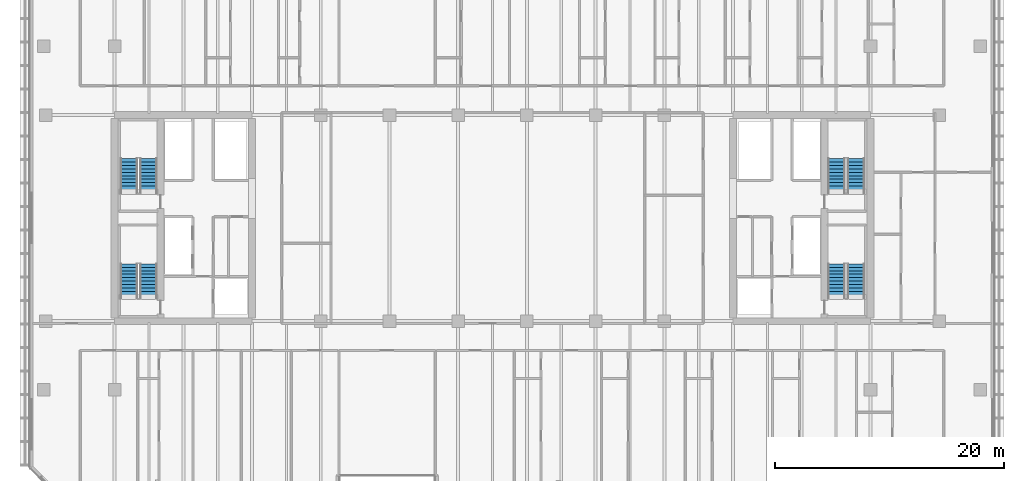
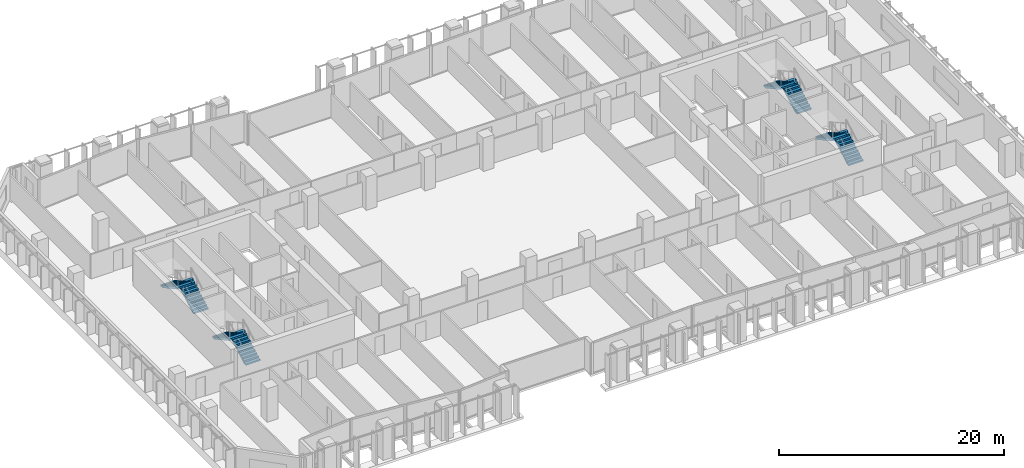
# One storey, part 26 of 32: 8 stair flights, 4 elements without a shape of their own.
"""IFC4 building model written with IfcOpenShell, lengths in metres."""

from ifc_helpers import new_model, si_unit, direction, frame, origin, place, context, subcontext, project, spatial, polyline, outline, extrude, material, type_object, element, aggregate, save


model = new_model("IFC4")

# Units and contexts
model_context = context("Model", 3, precision=1e-05, world=origin(), true_north=direction((0.0, 1.0)))
body_context = subcontext(model_context, "Body", "Model", "MODEL_VIEW")
ifc_project = project(units=[si_unit("LENGTHUNIT", "METRE"), si_unit("AREAUNIT", "SQUARE_METRE"), si_unit("VOLUMEUNIT", "CUBIC_METRE"), si_unit("PLANEANGLEUNIT", "RADIAN"), si_unit("MASSUNIT", "GRAM", prefix="KILO")], contexts=[model_context])

# Site, building, storey
site_placement = place(None, origin())
site = spatial("IfcSite", under=ifc_project, at=site_placement, CompositionType="ELEMENT")
building_placement = place(site_placement, origin())
building = spatial("IfcBuilding", under=site, at=building_placement, Name="Tanjung Sevakor Pilgrim Tower", CompositionType="ELEMENT")
storey_placement = place(building_placement, frame((0.0, 0.0, 62.3701171875)))
storey = spatial("IfcBuildingStorey", under=building, at=storey_placement, Name="L17", CompositionType="ELEMENT", Elevation=62.3701171875)

# Stair, stair flights
ifc_material_1 = material(Name="Concrete C40/50", Category="concrete")
stair_type = type_object("IfcStairType", Name="STAIR-ST-CR150", PredefinedType="HALF_TURN_STAIR", material=ifc_material_1)
stair_1_placement = place(storey_placement, origin())
stair_1 = element("IfcStair", 1, at=stair_1_placement, inside=storey, type_object=stair_type, Name="L17 West Core Exit Stair 1", PredefinedType="HALF_TURN_STAIR")
ifc_material_2 = material(Name="Concrete C40/50", Category="concrete")
stair_flight_type = type_object("IfcStairFlightType", Name="FLIGHT-ST-CR150", PredefinedType="STRAIGHT", material=ifc_material_2)
stair_flight_1_placement = place(storey_placement, frame((26.949951171875, 26.60009765625, 0.0), z_axis=(0.0, 0.0, 1.0), x_axis=(0.0, 1.0, 0.0)))
stair_flight_1 = element("IfcStairFlight", 2, at=stair_flight_1_placement, type_object=stair_flight_type, Name="TS-W1 flight 1", NumberOfRisers=11, NumberOfTreads=10, PredefinedType="STRAIGHT", RiserHeight=0.165, TreadLength=0.3, context=body_context, shape_type="SweptSolid", body=[
    extrude(outline(polyline([(0.0, 0.0), (0.0, 0.1650390625), (0.300048828125, 0.1650390625), (0.300048828125, 0.330078125), (0.60009765625, 0.330078125), (0.60009765625, 0.4951171875), (0.89990234375, 0.4951171875), (0.89990234375, 0.659912109375), (1.199951171875, 0.659912109375), (1.199951171875, 0.824951171875), (1.5, 0.824951171875), (1.5, 0.989990234375), (1.800048828125, 0.989990234375), (1.800048828125, 1.155029296875), (2.10009765625, 1.155029296875), (2.10009765625, 1.320068359375), (2.39990234375, 1.320068359375), (2.39990234375, 1.485107421875), (2.699951171875, 1.485107421875), (2.699951171875, 1.64990234375), (3.0, 1.64990234375), (3.0, 1.81494140625), (3.0, 1.467529296875), (0.331787109375, 0.0), (0.0, 0.0)])), frame((0.0, 0.75, 0.0), z_axis=(0.0, -1.0, 0.0), x_axis=(1.0, 0.0, 0.0)), (0.0, 0.0, 1.0), 1.5),
])
stair_flight_2_placement = place(storey_placement, frame((25.25, 29.60009765625, 1.81494140625), z_axis=(0.0, 0.0, 1.0), x_axis=(0.0, -1.0, 0.0)))
stair_flight_2 = element("IfcStairFlight", 3, at=stair_flight_2_placement, type_object=stair_flight_type, Name="TS-W1 flight 2", NumberOfRisers=11, NumberOfTreads=10, PredefinedType="STRAIGHT", RiserHeight=0.165, TreadLength=0.3, context=body_context, shape_type="SweptSolid", body=[
    extrude(outline(polyline([(0.0, 0.0), (0.0, 0.1650390625), (0.300048828125, 0.1650390625), (0.300048828125, 0.330078125), (0.60009765625, 0.330078125), (0.60009765625, 0.4951171875), (0.89990234375, 0.4951171875), (0.89990234375, 0.659912109375), (1.199951171875, 0.659912109375), (1.199951171875, 0.824951171875), (1.5, 0.824951171875), (1.5, 0.989990234375), (1.800048828125, 0.989990234375), (1.800048828125, 1.155029296875), (2.10009765625, 1.155029296875), (2.10009765625, 1.320068359375), (2.39990234375, 1.320068359375), (2.39990234375, 1.485107421875), (2.699951171875, 1.485107421875), (2.699951171875, 1.64990234375), (3.0, 1.64990234375), (3.0, 1.81494140625), (3.0, 1.467529296875), (0.331787109375, 0.0), (0.0, 0.0)])), frame((0.0, 0.75, 0.0), z_axis=(0.0, -1.0, 0.0), x_axis=(1.0, 0.0, 0.0)), (0.0, 0.0, 1.0), 1.5),
])
aggregate(stair_1, [stair_flight_1, stair_flight_2])

stair_2_placement = place(storey_placement, origin())
stair_2 = element("IfcStair", 4, at=stair_2_placement, inside=storey, type_object=stair_type, Name="L17 West Core Exit Stair 2", PredefinedType="HALF_TURN_STAIR")
stair_flight_3_placement = place(storey_placement, frame((26.949951171875, 35.800048828125, 0.0), z_axis=(0.0, 0.0, 1.0), x_axis=(0.0, 1.0, 0.0)))
stair_flight_3 = element("IfcStairFlight", 5, at=stair_flight_3_placement, type_object=stair_flight_type, Name="TS-W2 flight 1", NumberOfRisers=11, NumberOfTreads=10, PredefinedType="STRAIGHT", RiserHeight=0.165, TreadLength=0.3, context=body_context, shape_type="SweptSolid", body=[
    extrude(outline(polyline([(0.0, 0.0), (0.0, 0.1650390625), (0.300048828125, 0.1650390625), (0.300048828125, 0.330078125), (0.60009765625, 0.330078125), (0.60009765625, 0.4951171875), (0.89990234375, 0.4951171875), (0.89990234375, 0.659912109375), (1.199951171875, 0.659912109375), (1.199951171875, 0.824951171875), (1.5, 0.824951171875), (1.5, 0.989990234375), (1.800048828125, 0.989990234375), (1.800048828125, 1.155029296875), (2.10009765625, 1.155029296875), (2.10009765625, 1.320068359375), (2.39990234375, 1.320068359375), (2.39990234375, 1.485107421875), (2.699951171875, 1.485107421875), (2.699951171875, 1.64990234375), (3.0, 1.64990234375), (3.0, 1.81494140625), (3.0, 1.467529296875), (0.331787109375, 0.0), (0.0, 0.0)])), frame((0.0, 0.75, 0.0), z_axis=(0.0, -1.0, 0.0), x_axis=(1.0, 0.0, 0.0)), (0.0, 0.0, 1.0), 1.5),
])
stair_flight_4_placement = place(storey_placement, frame((25.25, 38.800048828125, 1.81494140625), z_axis=(0.0, 0.0, 1.0), x_axis=(0.0, -1.0, 0.0)))
stair_flight_4 = element("IfcStairFlight", 6, at=stair_flight_4_placement, type_object=stair_flight_type, Name="TS-W2 flight 2", NumberOfRisers=11, NumberOfTreads=10, PredefinedType="STRAIGHT", RiserHeight=0.165, TreadLength=0.3, context=body_context, shape_type="SweptSolid", body=[
    extrude(outline(polyline([(0.0, 0.0), (0.0, 0.1650390625), (0.300048828125, 0.1650390625), (0.300048828125, 0.330078125), (0.60009765625, 0.330078125), (0.60009765625, 0.4951171875), (0.89990234375, 0.4951171875), (0.89990234375, 0.659912109375), (1.199951171875, 0.659912109375), (1.199951171875, 0.824951171875), (1.5, 0.824951171875), (1.5, 0.989990234375), (1.800048828125, 0.989990234375), (1.800048828125, 1.155029296875), (2.10009765625, 1.155029296875), (2.10009765625, 1.320068359375), (2.39990234375, 1.320068359375), (2.39990234375, 1.485107421875), (2.699951171875, 1.485107421875), (2.699951171875, 1.64990234375), (3.0, 1.64990234375), (3.0, 1.81494140625), (3.0, 1.467529296875), (0.331787109375, 0.0), (0.0, 0.0)])), frame((0.0, 0.75, 0.0), z_axis=(0.0, -1.0, 0.0), x_axis=(1.0, 0.0, 0.0)), (0.0, 0.0, 1.0), 1.5),
])
aggregate(stair_2, [stair_flight_3, stair_flight_4])

stair_3_placement = place(storey_placement, origin())
stair_3 = element("IfcStair", 7, at=stair_3_placement, inside=storey, type_object=stair_type, Name="L17 East Core Exit Stair 1", PredefinedType="HALF_TURN_STAIR")
stair_flight_5_placement = place(storey_placement, frame((88.75, 26.60009765625, 0.0), z_axis=(0.0, 0.0, 1.0), x_axis=(0.0, 1.0, 0.0)))
stair_flight_5 = element("IfcStairFlight", 8, at=stair_flight_5_placement, type_object=stair_flight_type, Name="TS-E1 flight 1", NumberOfRisers=11, NumberOfTreads=10, PredefinedType="STRAIGHT", RiserHeight=0.165, TreadLength=0.3, context=body_context, shape_type="SweptSolid", body=[
    extrude(outline(polyline([(0.0, 0.0), (0.0, 0.1650390625), (0.300048828125, 0.1650390625), (0.300048828125, 0.330078125), (0.60009765625, 0.330078125), (0.60009765625, 0.4951171875), (0.89990234375, 0.4951171875), (0.89990234375, 0.659912109375), (1.199951171875, 0.659912109375), (1.199951171875, 0.824951171875), (1.5, 0.824951171875), (1.5, 0.989990234375), (1.800048828125, 0.989990234375), (1.800048828125, 1.155029296875), (2.10009765625, 1.155029296875), (2.10009765625, 1.320068359375), (2.39990234375, 1.320068359375), (2.39990234375, 1.485107421875), (2.699951171875, 1.485107421875), (2.699951171875, 1.64990234375), (3.0, 1.64990234375), (3.0, 1.81494140625), (3.0, 1.467529296875), (0.331787109375, 0.0), (0.0, 0.0)])), frame((0.0, 0.75, 0.0), z_axis=(0.0, -1.0, 0.0), x_axis=(1.0, 0.0, 0.0)), (0.0, 0.0, 1.0), 1.5),
])
stair_flight_6_placement = place(storey_placement, frame((87.050048828125, 29.60009765625, 1.81494140625), z_axis=(0.0, 0.0, 1.0), x_axis=(0.0, -1.0, 0.0)))
stair_flight_6 = element("IfcStairFlight", 9, at=stair_flight_6_placement, type_object=stair_flight_type, Name="TS-E1 flight 2", NumberOfRisers=11, NumberOfTreads=10, PredefinedType="STRAIGHT", RiserHeight=0.165, TreadLength=0.3, context=body_context, shape_type="SweptSolid", body=[
    extrude(outline(polyline([(0.0, 0.0), (0.0, 0.1650390625), (0.300048828125, 0.1650390625), (0.300048828125, 0.330078125), (0.60009765625, 0.330078125), (0.60009765625, 0.4951171875), (0.89990234375, 0.4951171875), (0.89990234375, 0.659912109375), (1.199951171875, 0.659912109375), (1.199951171875, 0.824951171875), (1.5, 0.824951171875), (1.5, 0.989990234375), (1.800048828125, 0.989990234375), (1.800048828125, 1.155029296875), (2.10009765625, 1.155029296875), (2.10009765625, 1.320068359375), (2.39990234375, 1.320068359375), (2.39990234375, 1.485107421875), (2.699951171875, 1.485107421875), (2.699951171875, 1.64990234375), (3.0, 1.64990234375), (3.0, 1.81494140625), (3.0, 1.467529296875), (0.331787109375, 0.0), (0.0, 0.0)])), frame((0.0, 0.75, 0.0), z_axis=(0.0, -1.0, 0.0), x_axis=(1.0, 0.0, 0.0)), (0.0, 0.0, 1.0), 1.5),
])
aggregate(stair_3, [stair_flight_5, stair_flight_6])

stair_4_placement = place(storey_placement, origin())
stair_4 = element("IfcStair", 10, at=stair_4_placement, inside=storey, type_object=stair_type, Name="L17 East Core Exit Stair 2", PredefinedType="HALF_TURN_STAIR")
stair_flight_7_placement = place(storey_placement, frame((88.75, 35.800048828125, 0.0), z_axis=(0.0, 0.0, 1.0), x_axis=(0.0, 1.0, 0.0)))
stair_flight_7 = element("IfcStairFlight", 11, at=stair_flight_7_placement, type_object=stair_flight_type, Name="TS-E2 flight 1", NumberOfRisers=11, NumberOfTreads=10, PredefinedType="STRAIGHT", RiserHeight=0.165, TreadLength=0.3, context=body_context, shape_type="SweptSolid", body=[
    extrude(outline(polyline([(0.0, 0.0), (0.0, 0.1650390625), (0.300048828125, 0.1650390625), (0.300048828125, 0.330078125), (0.60009765625, 0.330078125), (0.60009765625, 0.4951171875), (0.89990234375, 0.4951171875), (0.89990234375, 0.659912109375), (1.199951171875, 0.659912109375), (1.199951171875, 0.824951171875), (1.5, 0.824951171875), (1.5, 0.989990234375), (1.800048828125, 0.989990234375), (1.800048828125, 1.155029296875), (2.10009765625, 1.155029296875), (2.10009765625, 1.320068359375), (2.39990234375, 1.320068359375), (2.39990234375, 1.485107421875), (2.699951171875, 1.485107421875), (2.699951171875, 1.64990234375), (3.0, 1.64990234375), (3.0, 1.81494140625), (3.0, 1.467529296875), (0.331787109375, 0.0), (0.0, 0.0)])), frame((0.0, 0.75, 0.0), z_axis=(0.0, -1.0, 0.0), x_axis=(1.0, 0.0, 0.0)), (0.0, 0.0, 1.0), 1.5),
])
stair_flight_8_placement = place(storey_placement, frame((87.050048828125, 38.800048828125, 1.81494140625), z_axis=(0.0, 0.0, 1.0), x_axis=(0.0, -1.0, 0.0)))
stair_flight_8 = element("IfcStairFlight", 12, at=stair_flight_8_placement, type_object=stair_flight_type, Name="TS-E2 flight 2", NumberOfRisers=11, NumberOfTreads=10, PredefinedType="STRAIGHT", RiserHeight=0.165, TreadLength=0.3, context=body_context, shape_type="SweptSolid", body=[
    extrude(outline(polyline([(0.0, 0.0), (0.0, 0.1650390625), (0.300048828125, 0.1650390625), (0.300048828125, 0.330078125), (0.60009765625, 0.330078125), (0.60009765625, 0.4951171875), (0.89990234375, 0.4951171875), (0.89990234375, 0.659912109375), (1.199951171875, 0.659912109375), (1.199951171875, 0.824951171875), (1.5, 0.824951171875), (1.5, 0.989990234375), (1.800048828125, 0.989990234375), (1.800048828125, 1.155029296875), (2.10009765625, 1.155029296875), (2.10009765625, 1.320068359375), (2.39990234375, 1.320068359375), (2.39990234375, 1.485107421875), (2.699951171875, 1.485107421875), (2.699951171875, 1.64990234375), (3.0, 1.64990234375), (3.0, 1.81494140625), (3.0, 1.467529296875), (0.331787109375, 0.0), (0.0, 0.0)])), frame((0.0, 0.75, 0.0), z_axis=(0.0, -1.0, 0.0), x_axis=(1.0, 0.0, 0.0)), (0.0, 0.0, 1.0), 1.5),
])
aggregate(stair_4, [stair_flight_7, stair_flight_8])

save(model, "model.ifc")
